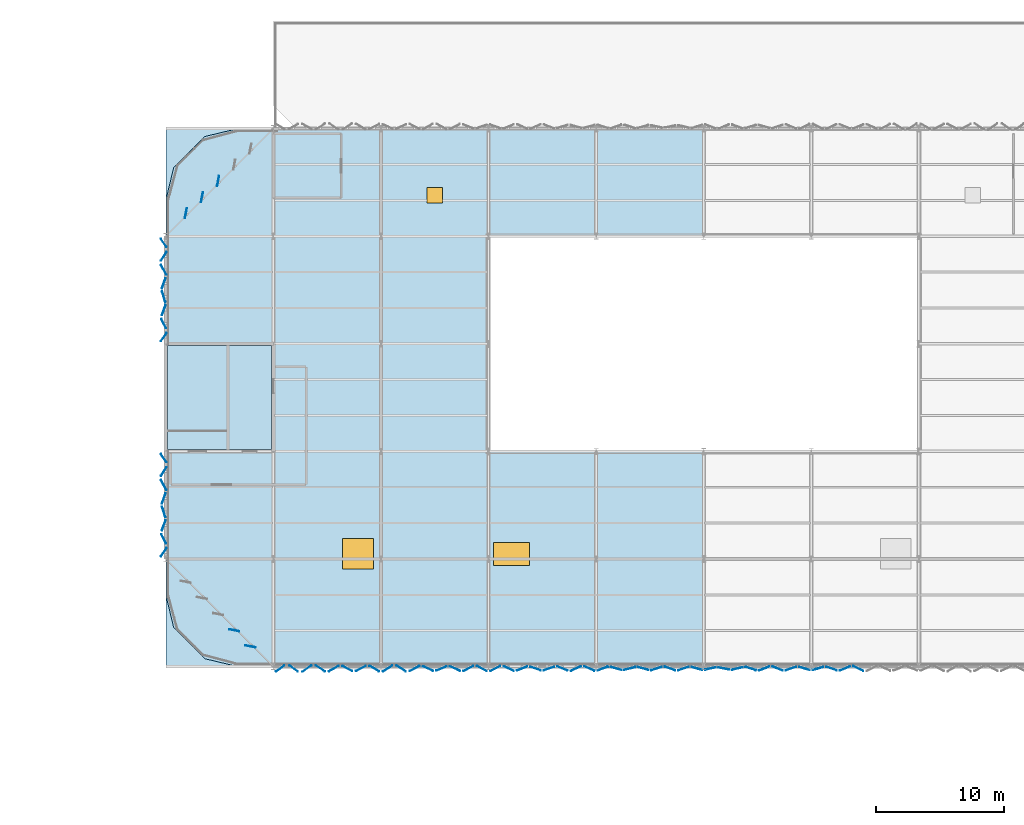
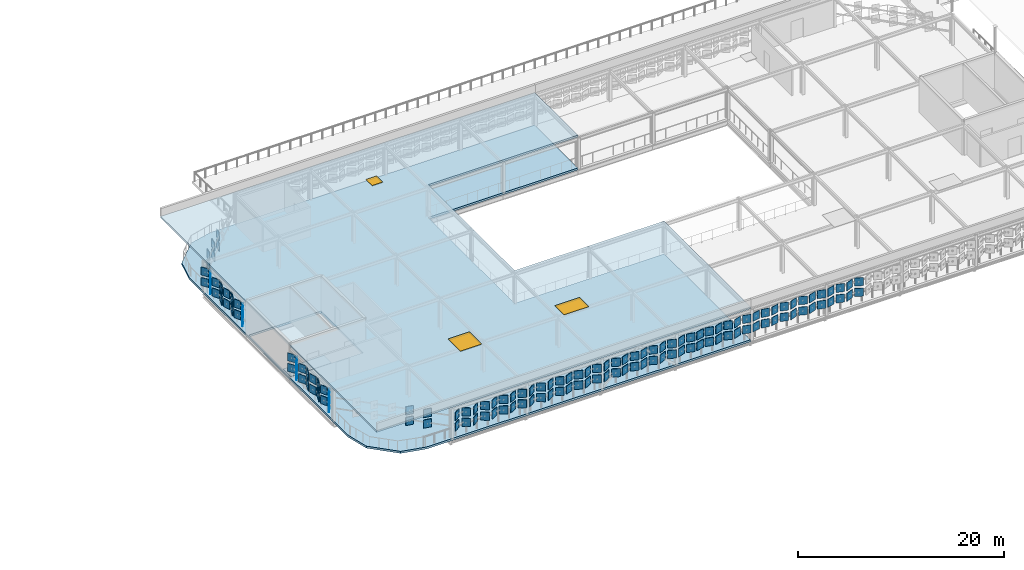
# One storey, part 42 of 65: 130 plates, 3 slabs, 3 windows, 3 openings.
"""IFC4 building model written with IfcOpenShell, lengths in metres."""

from ifc_helpers import new_model, si_unit, direction, frame, origin, origin_2d, place, context, subcontext, project, spatial, polyline, rectangle, outline, extrude, material, layer, layer_set, type_object, element, fill, save


model = new_model("IFC4")

# Units and contexts
model_context = context("Model", 3, precision=1e-05, world=origin(), true_north=direction((0.0, 1.0)))
body_context = subcontext(model_context, "Body", "Model", "MODEL_VIEW")
ifc_project = project(units=[si_unit("LENGTHUNIT", "METRE"), si_unit("AREAUNIT", "SQUARE_METRE"), si_unit("VOLUMEUNIT", "CUBIC_METRE"), si_unit("PLANEANGLEUNIT", "RADIAN"), si_unit("MASSUNIT", "GRAM", prefix="KILO")], contexts=[model_context])

# Site, building, storey
site_placement = place(None, origin())
site = spatial("IfcSite", under=ifc_project, at=site_placement, CompositionType="ELEMENT")
building_placement = place(site_placement, origin())
building = spatial("IfcBuilding", under=site, at=building_placement, Name="Qalvenar Corner Mobility Hub", CompositionType="ELEMENT")
storey_placement = place(building_placement, frame((0.0, 0.0, 17.39990234375)))
storey = spatial("IfcBuildingStorey", under=building, at=storey_placement, Name="L04", CompositionType="ELEMENT", Elevation=17.39990234375)

# Plates
ifc_material_1 = material(Name="Champagne-Silver Brushed Aluminium", Category="aluminium")
ifc_layer_1 = layer(ifc_material_1, 0.048095703125)
ifc_layer_set_1 = layer_set([ifc_layer_1], Name="Champagne-Silver Brushed Aluminium")
plate_type_1 = type_object("IfcPlateType", Name="PLT-XC-L4-CRN", PredefinedType="SHEET", material=ifc_layer_set_1)
for number, where, z_axis, x_axis, name in (
    (1, (67.72509765625, 67.0400390625, 1.02001953125), (0.0, 0.0, 1.0), (0.820551109147, 0.57157316004, 0.0), "Hinged Facade Panel FP-L04-1081"),
    (2, (67.72509765625, 67.0400390625, 2.27001953125), (0.0, 0.0, 1.0), (0.820551109147, 0.57157316004, 0.0), "Hinged Facade Panel FP-L04-1082"),
    (3, (68.77490234375, 67.0400390625, 1.02001953125), (0.0, 0.0, 1.0), (0.819152044289, -0.573576436351, 0.0), "Hinged Facade Panel FP-L04-1083"),
    (4, (68.77490234375, 67.0400390625, 2.27001953125), (0.0, 0.0, 1.0), (0.819152044289, -0.573576436351, 0.0), "Hinged Facade Panel FP-L04-1084"),
    (5, (58.639892578125, 83.47509765625, 1.02001953125), (0.0, 0.0, 1.0), (0.57157316004, -0.820551109147, 0.0), "Hinged Facade Panel FP-L04-1321"),
    (6, (58.639892578125, 83.47509765625, 2.27001953125), (0.0, 0.0, 1.0), (0.57157316004, -0.820551109147, 0.0), "Hinged Facade Panel FP-L04-1322"),
    (7, (58.639892578125, 82.425048828125, 1.02001953125), (0.0, 0.0, 1.0), (-0.53862374112, -0.842546417417, 0.0), "Hinged Facade Panel FP-L04-1323"),
    (8, (58.639892578125, 82.425048828125, 2.27001953125), (0.0, 0.0, 1.0), (-0.53862374112, -0.842546417417, 0.0), "Hinged Facade Panel FP-L04-1324"),
    (9, (58.639892578125, 77.175048828125, 1.02001953125), (0.0, 0.0, 1.0), (0.446666338461, -0.894700610308, 0.0), "Hinged Facade Panel FP-L04-1333"),
    (10, (58.639892578125, 77.175048828125, 2.27001953125), (0.0, 0.0, 1.0), (0.446666338461, -0.894700610308, 0.0), "Hinged Facade Panel FP-L04-1334"),
    (11, (58.639892578125, 76.125, 1.02001953125), (0.0, 0.0, 1.0), (-0.572575225515, -0.819852188584, 0.0), "Hinged Facade Panel FP-L04-1335"),
    (12, (58.639892578125, 76.125, 2.27001953125), (0.0, 0.0, 1.0), (-0.572575225515, -0.819852188584, 0.0), "Hinged Facade Panel FP-L04-1336"),
    (13, (58.639892578125, 100.27490234375, 1.02001953125), (0.0, 0.0, 1.0), (0.57157316004, -0.820551109147, 0.0), "Hinged Facade Panel FP-L04-1337"),
    (14, (58.639892578125, 100.27490234375, 2.27001953125), (0.0, 0.0, 1.0), (0.57157316004, -0.820551109147, 0.0), "Hinged Facade Panel FP-L04-1338"),
    (15, (58.639892578125, 99.22509765625, 1.02001953125), (0.0, 0.0, 1.0), (-0.53862374112, -0.842546417417, 0.0), "Hinged Facade Panel FP-L04-1339"),
    (16, (58.639892578125, 99.22509765625, 2.27001953125), (0.0, 0.0, 1.0), (-0.53862374112, -0.842546417417, 0.0), "Hinged Facade Panel FP-L04-1340"),
    (17, (58.639892578125, 93.97509765625, 1.02001953125), (0.0, 0.0, 1.0), (0.446666338461, -0.894700610308, 0.0), "Hinged Facade Panel FP-L04-1349"),
    (18, (58.639892578125, 93.97509765625, 2.27001953125), (0.0, 0.0, 1.0), (0.446666338461, -0.894700610308, 0.0), "Hinged Facade Panel FP-L04-1350"),
    (19, (58.639892578125, 92.925048828125, 1.02001953125), (0.0, 0.0, 1.0), (-0.572575225515, -0.819852188584, 0.0), "Hinged Facade Panel FP-L04-1351"),
    (20, (58.639892578125, 92.925048828125, 2.27001953125), (0.0, 0.0, 1.0), (-0.572575225515, -0.819852188584, 0.0), "Hinged Facade Panel FP-L04-1352"),
    (21, (64.14697265625, 70.02685546875, 1.02001953125), (0.0, 0.0, 1.0), (0.981627183448, -0.190808995377, 0.0), "Corner Hinged Panel FPC-L04-1372"),
    (22, (65.406982421875, 68.766845703125, 1.02001953125), (0.0, 0.0, 1.0), (0.981627183448, -0.190808995377, 0.0), "Corner Hinged Panel FPC-L04-1373"),
    (23, (64.14697265625, 70.02685546875, 2.27001953125), (0.0, 0.0, 1.0), (0.981627183448, -0.190808995377, 0.0), "Corner Hinged Panel FPC-L04-1377"),
    (24, (65.406982421875, 68.766845703125, 2.27001953125), (0.0, 0.0, 1.0), (0.981627183448, -0.190808995377, 0.0), "Corner Hinged Panel FPC-L04-1378"),
    (25, (62.886962890625, 105.113037109375, 1.02001953125), (0.0, 0.0, 1.0), (-0.190808995377, -0.981627183448, 0.0), "Corner Hinged Panel FPC-L04-1401"),
    (26, (61.626953125, 103.85302734375, 1.02001953125), (0.0, 0.0, 1.0), (-0.190808995377, -0.981627183448, 0.0), "Corner Hinged Panel FPC-L04-1402"),
    (27, (60.366943359375, 102.593017578125, 1.02001953125), (0.0, 0.0, 1.0), (-0.190808995377, -0.981627183448, 0.0), "Corner Hinged Panel FPC-L04-1403"),
    (28, (62.886962890625, 105.113037109375, 2.27001953125), (0.0, 0.0, 1.0), (-0.190808995377, -0.981627183448, 0.0), "Corner Hinged Panel FPC-L04-1406"),
    (29, (61.626953125, 103.85302734375, 2.27001953125), (0.0, 0.0, 1.0), (-0.190808995377, -0.981627183448, 0.0), "Corner Hinged Panel FPC-L04-1407"),
    (30, (60.366943359375, 102.593017578125, 2.27001953125), (0.0, 0.0, 1.0), (-0.190808995377, -0.981627183448, 0.0), "Corner Hinged Panel FPC-L04-1408"),
):
    element("IfcPlate", number, at=place(storey_placement, frame(where, z_axis=z_axis, x_axis=x_axis)), inside=storey, type_object=plate_type_1, Name=name, PredefinedType="SHEET", context=body_context, shape_type="SweptSolid", body=[
        extrude(rectangle(XDim=0.800048828125, YDim=0.048095703125, at=origin_2d()), origin(), (0.0, 0.0, 1.0), 0.9599609375),
    ])
ifc_layer_2 = layer(ifc_material_1, 0.0458984375)
ifc_layer_set_2 = layer_set([ifc_layer_2], Name="Champagne-Silver Brushed Aluminium")
plate_type_2 = type_object("IfcPlateType", Name="PLT-XC-L4-STD", PredefinedType="SHEET", material=ifc_layer_set_2)
for number, where, z_axis, x_axis, name in (
    (31, (69.824951171875, 67.0400390625, 1.02001953125), (0.0, 0.0, 1.0), (0.819152044289, 0.573576436351, 0.0), "Hinged Facade Panel FP-L04-1085"),
    (32, (69.824951171875, 67.0400390625, 2.27001953125), (0.0, 0.0, 1.0), (0.819152044289, 0.573576436351, 0.0), "Hinged Facade Panel FP-L04-1086"),
    (33, (70.875, 67.0400390625, 1.02001953125), (0.0, 0.0, 1.0), (0.838480401967, -0.544931753083, 0.0), "Hinged Facade Panel FP-L04-1087"),
    (34, (70.875, 67.0400390625, 2.27001953125), (0.0, 0.0, 1.0), (0.838480401967, -0.544931753083, 0.0), "Hinged Facade Panel FP-L04-1088"),
    (35, (71.925048828125, 67.0400390625, 1.02001953125), (0.0, 0.0, 1.0), (0.874619707139, 0.484809620246, 0.0), "Hinged Facade Panel FP-L04-1089"),
    (36, (71.925048828125, 67.0400390625, 2.27001953125), (0.0, 0.0, 1.0), (0.874619707139, 0.484809620246, 0.0), "Hinged Facade Panel FP-L04-1090"),
    (37, (72.97509765625, 67.0400390625, 1.02001953125), (0.0, 0.0, 1.0), (0.891955404777, -0.452123385691, 0.0), "Hinged Facade Panel FP-L04-1091"),
    (38, (72.97509765625, 67.0400390625, 2.27001953125), (0.0, 0.0, 1.0), (0.891955404777, -0.452123385691, 0.0), "Hinged Facade Panel FP-L04-1092"),
    (39, (74.02490234375, 67.0400390625, 1.02001953125), (0.0, 0.0, 1.0), (0.884743720969, 0.466077834922, 0.0), "Hinged Facade Panel FP-L04-1093"),
    (40, (74.02490234375, 67.0400390625, 2.27001953125), (0.0, 0.0, 1.0), (0.884743720969, 0.466077834922, 0.0), "Hinged Facade Panel FP-L04-1094"),
    (41, (75.074951171875, 67.0400390625, 1.02001953125), (0.0, 0.0, 1.0), (0.861185921638, -0.508290082898, 0.0), "Hinged Facade Panel FP-L04-1095"),
    (42, (75.074951171875, 67.0400390625, 2.27001953125), (0.0, 0.0, 1.0), (0.861185921638, -0.508290082898, 0.0), "Hinged Facade Panel FP-L04-1096"),
    (43, (76.125, 67.0400390625, 1.02001953125), (0.0, 0.0, 1.0), (0.842264279204, 0.539064823539, 0.0), "Hinged Facade Panel FP-L04-1097"),
    (44, (76.125, 67.0400390625, 2.27001953125), (0.0, 0.0, 1.0), (0.842264279204, 0.539064823539, 0.0), "Hinged Facade Panel FP-L04-1098"),
    (45, (77.175048828125, 67.0400390625, 1.02001953125), (0.0, 0.0, 1.0), (0.848510214982, -0.529179000974, 0.0), "Hinged Facade Panel FP-L04-1099"),
    (46, (77.175048828125, 67.0400390625, 2.27001953125), (0.0, 0.0, 1.0), (0.848510214982, -0.529179000974, 0.0), "Hinged Facade Panel FP-L04-1100"),
    (47, (78.22509765625, 67.0400390625, 1.02001953125), (0.0, 0.0, 1.0), (0.878150016915, 0.478385354909, 0.0), "Hinged Facade Panel FP-L04-1101"),
    (48, (78.22509765625, 67.0400390625, 2.27001953125), (0.0, 0.0, 1.0), (0.878150016915, 0.478385354909, 0.0), "Hinged Facade Panel FP-L04-1102"),
    (49, (79.27490234375, 67.0400390625, 1.02001953125), (0.0, 0.0, 1.0), (0.909453948514, -0.415804660306, 0.0), "Hinged Facade Panel FP-L04-1103"),
    (50, (79.27490234375, 67.0400390625, 2.27001953125), (0.0, 0.0, 1.0), (0.909453948514, -0.415804660306, 0.0), "Hinged Facade Panel FP-L04-1104"),
    (51, (80.324951171875, 67.0400390625, 1.02001953125), (0.0, 0.0, 1.0), (0.923879532511, 0.382683432365, 0.0), "Hinged Facade Panel FP-L04-1105"),
    (52, (80.324951171875, 67.0400390625, 2.27001953125), (0.0, 0.0, 1.0), (0.923879532511, 0.382683432365, 0.0), "Hinged Facade Panel FP-L04-1106"),
    (53, (81.375, 67.0400390625, 1.02001953125), (0.0, 0.0, 1.0), (0.917338230246, -0.398108743095, 0.0), "Hinged Facade Panel FP-L04-1107"),
    (54, (81.375, 67.0400390625, 2.27001953125), (0.0, 0.0, 1.0), (0.917338230246, -0.398108743095, 0.0), "Hinged Facade Panel FP-L04-1108"),
    (55, (82.425048828125, 67.0400390625, 1.02001953125), (0.0, 0.0, 1.0), (0.896949921811, 0.44213214966, 0.0), "Hinged Facade Panel FP-L04-1109"),
    (56, (82.425048828125, 67.0400390625, 2.27001953125), (0.0, 0.0, 1.0), (0.896949921811, 0.44213214966, 0.0), "Hinged Facade Panel FP-L04-1110"),
    (57, (83.47509765625, 67.0400390625, 1.02001953125), (0.0, 0.0, 1.0), (0.880642787868, -0.473780835594, 0.0), "Hinged Facade Panel FP-L04-1111"),
    (58, (83.47509765625, 67.0400390625, 2.27001953125), (0.0, 0.0, 1.0), (0.880642787868, -0.473780835594, 0.0), "Hinged Facade Panel FP-L04-1112"),
    (59, (84.52490234375, 67.0400390625, 1.02001953125), (0.0, 0.0, 1.0), (0.8866075438, 0.462522500293, 0.0), "Hinged Facade Panel FP-L04-1113"),
    (60, (84.52490234375, 67.0400390625, 2.27001953125), (0.0, 0.0, 1.0), (0.8866075438, 0.462522500293, 0.0), "Hinged Facade Panel FP-L04-1114"),
    (61, (85.574951171875, 67.0400390625, 1.02001953125), (0.0, 0.0, 1.0), (0.912620250784, -0.408808363244, 0.0), "Hinged Facade Panel FP-L04-1115"),
    (62, (85.574951171875, 67.0400390625, 2.27001953125), (0.0, 0.0, 1.0), (0.912620250784, -0.408808363244, 0.0), "Hinged Facade Panel FP-L04-1116"),
    (63, (86.625, 67.0400390625, 1.02001953125), (0.0, 0.0, 1.0), (0.938793994893, 0.34447907796, 0.0), "Hinged Facade Panel FP-L04-1117"),
    (64, (86.625, 67.0400390625, 2.27001953125), (0.0, 0.0, 1.0), (0.938793994893, 0.34447907796, 0.0), "Hinged Facade Panel FP-L04-1118"),
    (65, (87.675048828125, 67.0400390625, 1.02001953125), (0.0, 0.0, 1.0), (0.950352931542, -0.311174075894, 0.0), "Hinged Facade Panel FP-L04-1119"),
    (66, (87.675048828125, 67.0400390625, 2.27001953125), (0.0, 0.0, 1.0), (0.950352931542, -0.311174075894, 0.0), "Hinged Facade Panel FP-L04-1120"),
    (67, (88.72509765625, 67.0400390625, 1.02001953125), (0.0, 0.0, 1.0), (0.944777451743, 0.327712628196, 0.0), "Hinged Facade Panel FP-L04-1121"),
    (68, (88.72509765625, 67.0400390625, 2.27001953125), (0.0, 0.0, 1.0), (0.944777451743, 0.327712628196, 0.0), "Hinged Facade Panel FP-L04-1122"),
    (69, (89.77490234375, 67.0400390625, 1.02001953125), (0.0, 0.0, 1.0), (0.927640830776, -0.373473545352, 0.0), "Hinged Facade Panel FP-L04-1123"),
    (70, (89.77490234375, 67.0400390625, 2.27001953125), (0.0, 0.0, 1.0), (0.927640830776, -0.373473545352, 0.0), "Hinged Facade Panel FP-L04-1124"),
    (71, (90.824951171875, 67.0400390625, 1.02001953125), (0.0, 0.0, 1.0), (0.914041698281, 0.405620233474, 0.0), "Hinged Facade Panel FP-L04-1125"),
    (72, (90.824951171875, 67.0400390625, 2.27001953125), (0.0, 0.0, 1.0), (0.914041698281, 0.405620233474, 0.0), "Hinged Facade Panel FP-L04-1126"),
    (73, (91.875, 67.0400390625, 1.02001953125), (0.0, 0.0, 1.0), (0.919547370211, -0.392979177488, 0.0), "Hinged Facade Panel FP-L04-1127"),
    (74, (91.875, 67.0400390625, 2.27001953125), (0.0, 0.0, 1.0), (0.919547370211, -0.392979177488, 0.0), "Hinged Facade Panel FP-L04-1128"),
    (75, (92.925048828125, 67.0400390625, 1.02001953125), (0.0, 0.0, 1.0), (0.941529364694, 0.336930935681, 0.0), "Hinged Facade Panel FP-L04-1129"),
    (76, (92.925048828125, 67.0400390625, 2.27001953125), (0.0, 0.0, 1.0), (0.941529364694, 0.336930935681, 0.0), "Hinged Facade Panel FP-L04-1130"),
    (77, (93.97509765625, 67.0400390625, 1.02001953125), (0.0, 0.0, 1.0), (0.962597230403, -0.270936472296, 0.0), "Hinged Facade Panel FP-L04-1131"),
    (78, (93.97509765625, 67.0400390625, 2.27001953125), (0.0, 0.0, 1.0), (0.962597230403, -0.270936472296, 0.0), "Hinged Facade Panel FP-L04-1132"),
    (79, (95.02490234375, 67.0400390625, 1.02001953125), (0.0, 0.0, 1.0), (0.971300571005, 0.237855419878, 0.0), "Hinged Facade Panel FP-L04-1133"),
    (80, (95.02490234375, 67.0400390625, 2.27001953125), (0.0, 0.0, 1.0), (0.971300571005, 0.237855419878, 0.0), "Hinged Facade Panel FP-L04-1134"),
    (81, (96.074951171875, 67.0400390625, 1.02001953125), (0.0, 0.0, 1.0), (0.966778790184, -0.255614496558, 0.0), "Hinged Facade Panel FP-L04-1135"),
    (82, (96.074951171875, 67.0400390625, 2.27001953125), (0.0, 0.0, 1.0), (0.966778790184, -0.255614496558, 0.0), "Hinged Facade Panel FP-L04-1136"),
    (83, (97.125, 67.0400390625, 1.02001953125), (0.0, 0.0, 1.0), (0.95308506272, 0.302702598633, 0.0), "Hinged Facade Panel FP-L04-1137"),
    (84, (97.125, 67.0400390625, 2.27001953125), (0.0, 0.0, 1.0), (0.95308506272, 0.302702598633, 0.0), "Hinged Facade Panel FP-L04-1138"),
    (85, (98.175048828125, 67.0400390625, 1.02001953125), (0.0, 0.0, 1.0), (0.942174490079, -0.335122709234, 0.0), "Hinged Facade Panel FP-L04-1139"),
    (86, (98.175048828125, 67.0400390625, 2.27001953125), (0.0, 0.0, 1.0), (0.942174490079, -0.335122709234, 0.0), "Hinged Facade Panel FP-L04-1140"),
    (87, (99.22509765625, 67.0400390625, 1.02001953125), (0.0, 0.0, 1.0), (0.947042275343, 0.321108904756, 0.0), "Hinged Facade Panel FP-L04-1141"),
    (88, (99.22509765625, 67.0400390625, 2.27001953125), (0.0, 0.0, 1.0), (0.947042275343, 0.321108904756, 0.0), "Hinged Facade Panel FP-L04-1142"),
    (89, (100.27490234375, 67.0400390625, 1.02001953125), (0.0, 0.0, 1.0), (0.964787323829, -0.263031214458, 0.0), "Hinged Facade Panel FP-L04-1143"),
    (90, (100.27490234375, 67.0400390625, 2.27001953125), (0.0, 0.0, 1.0), (0.964787323829, -0.263031214458, 0.0), "Hinged Facade Panel FP-L04-1144"),
    (91, (101.324951171875, 67.0400390625, 1.02001953125), (0.0, 0.0, 1.0), (0.97843694665, 0.206545736898, 0.0), "Hinged Facade Panel FP-L04-1145"),
    (92, (101.324951171875, 67.0400390625, 2.27001953125), (0.0, 0.0, 1.0), (0.97843694665, 0.206545736898, 0.0), "Hinged Facade Panel FP-L04-1146"),
    (93, (102.375, 67.0400390625, 1.02001953125), (0.0, 0.0, 1.0), (0.980751215781, -0.195261498368, 0.0), "Hinged Facade Panel FP-L04-1147"),
    (94, (102.375, 67.0400390625, 2.27001953125), (0.0, 0.0, 1.0), (0.980751215781, -0.195261498368, 0.0), "Hinged Facade Panel FP-L04-1148"),
    (95, (103.425048828125, 67.0400390625, 1.02001953125), (0.0, 0.0, 1.0), (0.971878861283, 0.235481377163, 0.0), "Hinged Facade Panel FP-L04-1149"),
    (96, (103.425048828125, 67.0400390625, 2.27001953125), (0.0, 0.0, 1.0), (0.971878861283, 0.235481377163, 0.0), "Hinged Facade Panel FP-L04-1150"),
    (97, (104.47509765625, 67.0400390625, 1.02001953125), (0.0, 0.0, 1.0), (0.952714530523, -0.303866785501, 0.0), "Hinged Facade Panel FP-L04-1151"),
    (98, (104.47509765625, 67.0400390625, 2.27001953125), (0.0, 0.0, 1.0), (0.952714530523, -0.303866785501, 0.0), "Hinged Facade Panel FP-L04-1152"),
    (99, (105.52490234375, 67.0400390625, 1.02001953125), (0.0, 0.0, 1.0), (0.934515431196, 0.355922616389, 0.0), "Hinged Facade Panel FP-L04-1153"),
    (100, (105.52490234375, 67.0400390625, 2.27001953125), (0.0, 0.0, 1.0), (0.934515431196, 0.355922616389, 0.0), "Hinged Facade Panel FP-L04-1154"),
    (101, (106.574951171875, 67.0400390625, 1.02001953125), (0.0, 0.0, 1.0), (0.932323801216, -0.361624570082, 0.0), "Hinged Facade Panel FP-L04-1155"),
    (102, (106.574951171875, 67.0400390625, 2.27001953125), (0.0, 0.0, 1.0), (0.932323801216, -0.361624570082, 0.0), "Hinged Facade Panel FP-L04-1156"),
    (103, (107.625, 67.0400390625, 1.02001953125), (0.0, 0.0, 1.0), (0.945858991273, 0.324577831388, 0.0), "Hinged Facade Panel FP-L04-1157"),
    (104, (107.625, 67.0400390625, 2.27001953125), (0.0, 0.0, 1.0), (0.945858991273, 0.324577831388, 0.0), "Hinged Facade Panel FP-L04-1158"),
    (105, (108.675048828125, 67.0400390625, 1.02001953125), (0.0, 0.0, 1.0), (0.960049854386, -0.279829014031, 0.0), "Hinged Facade Panel FP-L04-1159"),
    (106, (108.675048828125, 67.0400390625, 2.27001953125), (0.0, 0.0, 1.0), (0.960049854386, -0.279829014031, 0.0), "Hinged Facade Panel FP-L04-1160"),
    (107, (109.72509765625, 67.0400390625, 1.02001953125), (0.0, 0.0, 1.0), (0.962974590644, 0.269592169347, 0.0), "Hinged Facade Panel FP-L04-1161"),
    (108, (109.72509765625, 67.0400390625, 2.27001953125), (0.0, 0.0, 1.0), (0.962974590644, 0.269592169347, 0.0), "Hinged Facade Panel FP-L04-1162"),
    (109, (110.77490234375, 67.0400390625, 1.02001953125), (0.0, 0.0, 1.0), (0.950786485994, -0.309846829984, 0.0), "Hinged Facade Panel FP-L04-1163"),
    (110, (110.77490234375, 67.0400390625, 2.27001953125), (0.0, 0.0, 1.0), (0.950786485994, -0.309846829984, 0.0), "Hinged Facade Panel FP-L04-1164"),
    (111, (111.824951171875, 67.0400390625, 1.02001953125), (0.0, 0.0, 1.0), (0.926397247385, 0.376547659716, 0.0), "Hinged Facade Panel FP-L04-1165"),
    (112, (111.824951171875, 67.0400390625, 2.27001953125), (0.0, 0.0, 1.0), (0.926397247385, 0.376547659716, 0.0), "Hinged Facade Panel FP-L04-1166"),
    (113, (112.875, 67.0400390625, 1.02001953125), (0.0, 0.0, 1.0), (0.904455145454, -0.426568739901, 0.0), "Hinged Facade Panel FP-L04-1167"),
    (114, (112.875, 67.0400390625, 2.27001953125), (0.0, 0.0, 1.0), (0.904455145454, -0.426568739901, 0.0), "Hinged Facade Panel FP-L04-1168"),
    (115, (58.639892578125, 81.375, 1.02001953125), (0.0, 0.0, 1.0), (0.463450699766, -0.886122705322, 0.0), "Hinged Facade Panel FP-L04-1325"),
    (116, (58.639892578125, 81.375, 2.27001953125), (0.0, 0.0, 1.0), (0.463450699766, -0.886122705322, 0.0), "Hinged Facade Panel FP-L04-1326"),
    (117, (58.639892578125, 80.324951171875, 1.02001953125), (0.0, 0.0, 1.0), (-0.340215433792, -0.940347520127, 0.0), "Hinged Facade Panel FP-L04-1327"),
    (118, (58.639892578125, 80.324951171875, 2.27001953125), (0.0, 0.0, 1.0), (-0.340215433792, -0.940347520127, 0.0), "Hinged Facade Panel FP-L04-1328"),
    (119, (58.639892578125, 79.27490234375, 1.02001953125), (0.0, 0.0, 1.0), (0.284015344704, -0.958819734868, 0.0), "Hinged Facade Panel FP-L04-1329"),
    (120, (58.639892578125, 79.27490234375, 2.27001953125), (0.0, 0.0, 1.0), (0.284015344704, -0.958819734868, 0.0), "Hinged Facade Panel FP-L04-1330"),
    (121, (58.639892578125, 78.22509765625, 1.02001953125), (0.0, 0.0, 1.0), (-0.342020143326, -0.939692620786, 0.0), "Hinged Facade Panel FP-L04-1331"),
    (122, (58.639892578125, 78.22509765625, 2.27001953125), (0.0, 0.0, 1.0), (-0.342020143326, -0.939692620786, 0.0), "Hinged Facade Panel FP-L04-1332"),
    (123, (58.639892578125, 98.175048828125, 1.02001953125), (0.0, 0.0, 1.0), (0.463450699766, -0.886122705322, 0.0), "Hinged Facade Panel FP-L04-1341"),
    (124, (58.639892578125, 98.175048828125, 2.27001953125), (0.0, 0.0, 1.0), (0.463450699766, -0.886122705322, 0.0), "Hinged Facade Panel FP-L04-1342"),
    (125, (58.639892578125, 97.125, 1.02001953125), (0.0, 0.0, 1.0), (-0.340215433792, -0.940347520127, 0.0), "Hinged Facade Panel FP-L04-1343"),
    (126, (58.639892578125, 97.125, 2.27001953125), (0.0, 0.0, 1.0), (-0.340215433792, -0.940347520127, 0.0), "Hinged Facade Panel FP-L04-1344"),
    (127, (58.639892578125, 96.074951171875, 1.02001953125), (0.0, 0.0, 1.0), (0.284015344704, -0.958819734868, 0.0), "Hinged Facade Panel FP-L04-1345"),
    (128, (58.639892578125, 96.074951171875, 2.27001953125), (0.0, 0.0, 1.0), (0.284015344704, -0.958819734868, 0.0), "Hinged Facade Panel FP-L04-1346"),
    (129, (58.639892578125, 95.02490234375, 1.02001953125), (0.0, 0.0, 1.0), (-0.342020143326, -0.939692620786, 0.0), "Hinged Facade Panel FP-L04-1347"),
    (130, (58.639892578125, 95.02490234375, 2.27001953125), (0.0, 0.0, 1.0), (-0.342020143326, -0.939692620786, 0.0), "Hinged Facade Panel FP-L04-1348"),
):
    element("IfcPlate", number, at=place(storey_placement, frame(where, z_axis=z_axis, x_axis=x_axis)), inside=storey, type_object=plate_type_2, Name=name, PredefinedType="SHEET", context=body_context, shape_type="SweptSolid", body=[
        extrude(rectangle(XDim=0.860107421875, YDim=0.0458984375, at=origin_2d()), origin(), (0.0, 0.0, 1.0), 0.9599609375),
    ])

# Slabs
ifc_material_2 = material(Name="Concrete C35/45", Category="concrete")
ifc_layer_3 = layer(ifc_material_2, 0.239990234375)
ifc_layer_set_3 = layer_set([ifc_layer_3], Name="Concrete C35/45")
slab_type_1 = type_object("IfcSlabType", Name="SLB-COMP200", PredefinedType="FLOOR", material=ifc_layer_set_3)
slab_1_placement = place(storey_placement, frame((0.0, 0.0, -0.239990234375)))
element("IfcSlab", 131, at=slab_1_placement, inside=storey, type_object=slab_type_1, Name="Composite Deck V4-W-L04", PredefinedType="FLOOR", context=body_context, shape_type="SweptSolid", body=[
    extrude(outline(polyline([(64.39990234375, 67.199951171875), (100.800048828125, 67.199951171875), (100.800048828125, 84.0), (84.0, 84.0), (84.0, 100.800048828125), (100.800048828125, 100.800048828125), (100.800048828125, 109.199951171875), (64.39990234375, 109.199951171875), (61.857666015625, 108.589599609375), (59.410400390625, 106.142333984375), (58.800048828125, 103.60009765625), (58.800048828125, 72.800048828125), (59.410400390625, 70.2578125), (61.857666015625, 67.810302734375), (64.39990234375, 67.199951171875)]), holes=[polyline([(58.929931640625, 84.1298828125), (67.070068359375, 84.1298828125), (67.070068359375, 92.27001953125), (58.929931640625, 92.27001953125), (58.929931640625, 84.1298828125)])]), origin(), (0.0, 0.0, 1.0), 0.239990234375),
])
ifc_layer_4 = layer(ifc_material_2, 0.175048828125)
ifc_layer_set_4 = layer_set([ifc_layer_4], Name="Concrete C35/45")
slab_type_2 = type_object("IfcSlabType", Name="SLB-LND200", PredefinedType="LANDING", material=ifc_layer_set_4)
slab_2_placement = place(storey_placement, frame((0.0, 0.0, -0.1748046875)))
element("IfcSlab", 132, at=slab_2_placement, inside=storey, type_object=slab_type_2, Name="Core Stair Arrival Landing C3-L04", PredefinedType="LANDING", context=body_context, shape_type="SweptSolid", body=[
    extrude(outline(polyline([(58.949951171875, 84.14990234375), (63.570068359375, 84.14990234375), (63.570068359375, 85.64990234375), (58.949951171875, 85.64990234375), (58.949951171875, 84.14990234375)])), origin(), (0.0, 0.0, 1.0), 0.1748046875),
])

# Slab, openings, windows
ifc_material_3 = material(Name="Concrete C35/45", Category="concrete")
ifc_layer_5 = layer(ifc_material_3, 0.22998046875)
ifc_layer_set_5 = layer_set([ifc_layer_5], Name="Concrete C35/45")
slab_type_3 = type_object("IfcSlabType", Name="SLB-ROOF190", PredefinedType="ROOF", material=ifc_layer_set_5)
slab_3_placement = place(storey_placement, frame((0.0, 0.0, 3.670166015625)))
slab_3 = element("IfcSlab", 133, at=slab_3_placement, inside=storey, type_object=slab_type_3, Name="EV Block Roof Slab V4-W", PredefinedType="ROOF", context=body_context, shape_type="SweptSolid", body=[
    extrude(outline(polyline([(58.800048828125, 67.199951171875), (100.800048828125, 67.199951171875), (100.800048828125, 84.0), (84.0, 84.0), (84.0, 100.800048828125), (100.800048828125, 100.800048828125), (100.800048828125, 109.199951171875), (58.800048828125, 109.199951171875), (58.800048828125, 67.199951171875)]), holes=[polyline([(72.60009765625, 74.800048828125), (75.0, 74.800048828125), (75.0, 77.199951171875), (72.60009765625, 77.199951171875), (72.60009765625, 74.800048828125)]), polyline([(84.39990234375, 75.10009765625), (87.199951171875, 75.10009765625), (87.199951171875, 76.89990234375), (84.39990234375, 76.89990234375), (84.39990234375, 75.10009765625)]), polyline([(79.199951171875, 103.39990234375), (80.39990234375, 103.39990234375), (80.39990234375, 104.60009765625), (79.199951171875, 104.60009765625), (79.199951171875, 103.39990234375)])]), origin(), (0.0, 0.0, 1.0), 0.22998046875),
])
opening_1_placement = place(slab_3_placement, frame((73.800048828125, 76.0, 0.0)))
opening_1 = element("IfcOpeningElement", 134, at=opening_1_placement, cuts=slab_3, Name="Opening SK-01", PredefinedType="OPENING", context=body_context, shape_type="SweptSolid", body=[
    extrude(rectangle(XDim=2.39990234375, YDim=2.39990234375, at=origin_2d()), origin(), (0.0, 0.0, 1.0), 0.22998046875),
])
opening_2_placement = place(slab_3_placement, frame((85.800048828125, 76.0, 0.0)))
opening_2 = element("IfcOpeningElement", 135, at=opening_2_placement, cuts=slab_3, Name="Opening SK-02", PredefinedType="OPENING", context=body_context, shape_type="SweptSolid", body=[
    extrude(rectangle(XDim=2.800048828125, YDim=1.800048828125, at=origin_2d()), origin(), (0.0, 0.0, 1.0), 0.22998046875),
])
opening_3_placement = place(slab_3_placement, frame((79.800048828125, 104.0, 0.0)))
opening_3 = element("IfcOpeningElement", 136, at=opening_3_placement, cuts=slab_3, Name="Opening RH-01", PredefinedType="OPENING", context=body_context, shape_type="SweptSolid", body=[
    extrude(rectangle(XDim=1.199951171875, YDim=1.199951171875, at=origin_2d()), origin(), (0.0, 0.0, 1.0), 0.22998046875),
])
ifc_material_4 = material(Name="Solar-Control Double-Glazed Bronze Window", Category="glass")
window_type_1 = type_object("IfcWindowType", Name="SKY-CON-240X240", PartitioningType="SINGLE_PANEL", PredefinedType="SKYLIGHT", material=ifc_material_4)
window_1_placement = place(opening_1_placement, frame((0.0, 0.0, 0.179931640625)))
window_1 = element("IfcWindow", 137, at=window_1_placement, inside=storey, type_object=window_type_1, Name="EV Deck Roof Skylight SK-V4-W1", OverallHeight=2.39990234375, OverallWidth=2.39990234375, PartitioningType="SINGLE_PANEL", PredefinedType="SKYLIGHT", context=body_context, shape_type="SweptSolid", body=[
    extrude(rectangle(XDim=2.39990234375, YDim=2.39990234375, at=origin_2d()), origin(), (0.0, 0.0, 1.0), 0.050048828125),
])
fill(opening_1, window_1)
window_type_2 = type_object("IfcWindowType", Name="SKY-HTCH-120X120", PartitioningType="SINGLE_PANEL", PredefinedType="SKYLIGHT", material=ifc_material_4)
window_2_placement = place(opening_3_placement, frame((0.0, 0.0, 0.179931640625)))
window_2 = element("IfcWindow", 138, at=window_2_placement, inside=storey, type_object=window_type_2, Name="ROOF ACCESS HATCH RH-V4-W", OverallHeight=1.199951171875, OverallWidth=1.199951171875, PartitioningType="SINGLE_PANEL", PredefinedType="SKYLIGHT", context=body_context, shape_type="SweptSolid", body=[
    extrude(rectangle(XDim=1.199951171875, YDim=1.199951171875, at=origin_2d()), origin(), (0.0, 0.0, 1.0), 0.050048828125),
])
fill(opening_3, window_2)
window_type_3 = type_object("IfcWindowType", Name="SKY-SPT-280X180", PartitioningType="DOUBLE_PANEL_VERTICAL", PredefinedType="SKYLIGHT", material=ifc_material_4)
window_3_placement = place(opening_2_placement, frame((0.0, 0.0, 0.179931640625)))
window_3 = element("IfcWindow", 139, at=window_3_placement, inside=storey, type_object=window_type_3, Name="EV Deck Roof Skylight SK-V4-W2", OverallHeight=1.800048828125, OverallWidth=2.800048828125, PartitioningType="SINGLE_PANEL", PredefinedType="SKYLIGHT", context=body_context, shape_type="SweptSolid", body=[
    extrude(rectangle(XDim=2.800048828125, YDim=1.800048828125, at=origin_2d()), origin(), (0.0, 0.0, 1.0), 0.050048828125),
])
fill(opening_2, window_3)

save(model, "model.ifc")
